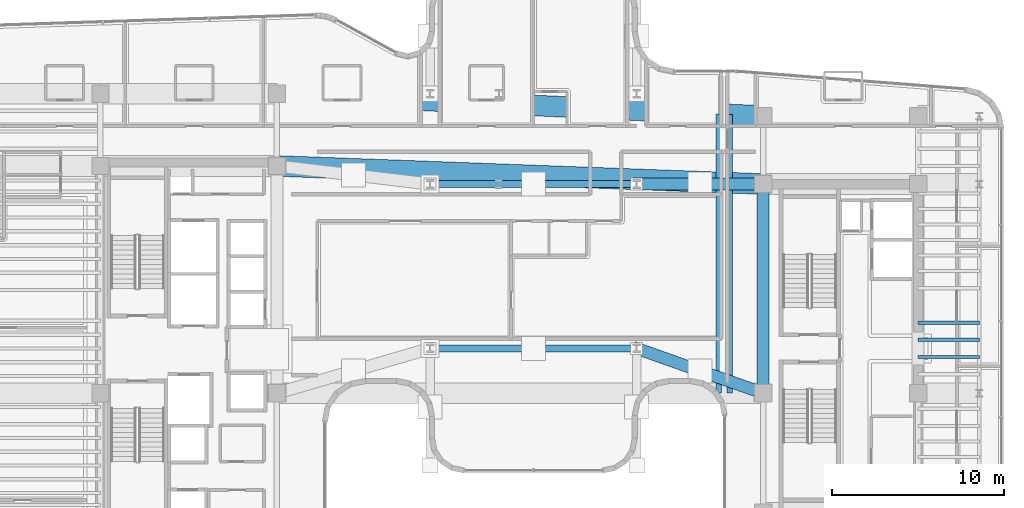
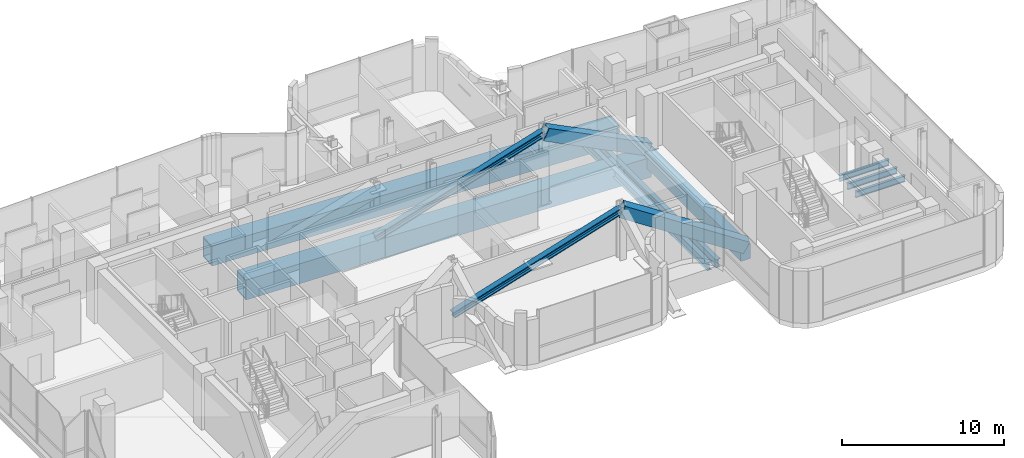
# One storey, part 13 of 37: 8 beams, 4 members.
"""IFC4 building model written with IfcOpenShell, lengths in metres."""

from ifc_helpers import new_model, si_unit, direction, frame, origin, origin_2d, place, context, subcontext, project, spatial, rectangle, hollow_rectangle, i_section, extrude, source, transform, mapped, material, material_profile, profile_set, type_object, element, save


model = new_model("IFC4")

# Units and contexts
model_context = context("Model", 3, precision=1e-05, world=origin(), true_north=direction((0.0, 1.0)))
body_context = subcontext(model_context, "Body", "Model", "MODEL_VIEW")
ifc_project = project(units=[si_unit("LENGTHUNIT", "METRE"), si_unit("AREAUNIT", "SQUARE_METRE"), si_unit("VOLUMEUNIT", "CUBIC_METRE"), si_unit("PLANEANGLEUNIT", "RADIAN"), si_unit("MASSUNIT", "GRAM", prefix="KILO")], contexts=[model_context])

# Site, building, storey
site_placement = place(None, origin())
site = spatial("IfcSite", under=ifc_project, at=site_placement, CompositionType="ELEMENT")
building_placement = place(site_placement, origin())
building = spatial("IfcBuilding", under=site, at=building_placement, Name="Valdorenza Pilgrim Sanctuary Tower", CompositionType="ELEMENT")
storey_placement = place(building_placement, frame((0.0, 0.0, 172.300048828125)))
storey = spatial("IfcBuildingStorey", under=building, at=storey_placement, Name="L44", CompositionType="ELEMENT", Elevation=172.300048828125)

# Beams
ifc_material_1 = material(Name="Concrete C50/60", Category="concrete")
ifc_material_profile_1 = material_profile(ifc_material_1, rectangle(XDim=0.699951171875, YDim=1.10009765625, at=origin_2d()), Name="RC 1100x700")
ifc_profile_set_1 = profile_set([ifc_material_profile_1], Name="Concrete C50/60")
beam_type_1 = type_object("IfcBeamType", Name="STR-BM-LNT-1100", PredefinedType="LINTEL", material=ifc_profile_set_1)
shared_shape_1 = source(origin(), body_context, "Body", "SweptSolid", [
    extrude(rectangle(XDim=0.699951171875, YDim=1.10009765625, at=origin_2d()), origin(), (0.0, 0.0, 1.0), 12.150146484375),
])
beam_1_placement = place(storey_placement, frame((15.85009765625, -2.60009765625, -0.590087890625), z_axis=(0.0, 1.0, 0.0), x_axis=(-1.0, 0.0, 0.0)))
element("IfcBeam", 1, at=beam_1_placement, inside=storey, type_object=beam_type_1, Name="L44 Core B West Coupling Lintel Girder", PredefinedType="LINTEL", context=body_context, shape_type="MappedRepresentation", body=[
    mapped(shared_shape_1, transform((0.0, 0.0, 0.0), x_axis=(1.0, 0.0, 0.0), y_axis=(0.0, 1.0, 0.0), z_axis=(0.0, 0.0, 1.0), scale=1.0)),
])
ifc_material_2 = material(Name="Steel ASTM A572 Grade 42", Category="steel")
ifc_material_profile_2 = material_profile(ifc_material_2, hollow_rectangle(XDim=1.199951171875, YDim=1.5, WallThickness=0.090087890625, at=origin_2d()), Name="BOX 1200x1500x90")
ifc_profile_set_2 = profile_set([ifc_material_profile_2], Name="Steel ASTM A572 Grade 42")
beam_type_2 = type_object("IfcBeamType", Name="STR-BM-TRF-1500", PredefinedType="BEAM", material=ifc_profile_set_2)
shared_shape_2 = source(origin(), body_context, "Body", "SweptSolid", [
    extrude(hollow_rectangle(XDim=1.199951171875, YDim=1.5, WallThickness=0.090087890625, at=origin_2d()), origin(), (0.0, 0.0, 1.0), 28.26953125),
])
beam_2_placement = place(storey_placement, frame((-12.39990234375, 10.60009765625, -1.150146484375), z_axis=(0.999309915364, -0.037144219666, 0.0), x_axis=(0.037144219666, 0.999309915364, 0.0)))
element("IfcBeam", 2, at=beam_2_placement, inside=storey, type_object=beam_type_2, Name="L44 Portal Bridge Transfer Girder PRY-G0-P9", PredefinedType="BEAM", context=body_context, shape_type="MappedRepresentation", body=[
    mapped(shared_shape_2, transform((0.0, 0.0, 0.0), x_axis=(1.0, 0.0, 0.0), y_axis=(0.0, 1.0, 0.0), z_axis=(0.0, 0.0, 1.0), scale=1.0)),
])
shared_shape_3 = source(origin(), body_context, "Body", "SweptSolid", [
    extrude(hollow_rectangle(XDim=1.199951171875, YDim=1.5, WallThickness=0.090087890625, at=origin_2d()), origin(), (0.0, 0.0, 1.0), 28.27978515625),
])
beam_3_placement = place(storey_placement, frame((-12.39990234375, 14.800048828125, -1.150146484375), z_axis=(0.998942785066, -0.045970775118, 0.0), x_axis=(0.045970775118, 0.998942785066, 0.0)))
element("IfcBeam", 3, at=beam_3_placement, inside=storey, type_object=beam_type_2, Name="L44 Portal Bridge Transfer Girder PRY-G0-P14", PredefinedType="BEAM", context=body_context, shape_type="MappedRepresentation", body=[
    mapped(shared_shape_3, transform((0.0, 0.0, 0.0), x_axis=(1.0, 0.0, 0.0), y_axis=(0.0, 1.0, 0.0), z_axis=(0.0, 0.0, 1.0), scale=1.0)),
])
ifc_material_3 = material(Name="Steel ASTM A992 Grade 50", Category="steel")
ifc_material_profile_3 = material_profile(ifc_material_3, i_section(OverallWidth=0.19091796875, OverallDepth=0.45703125, WebThickness=0.009033203125, FlangeThickness=0.014404296875, at=origin_2d()), Name="W18X50")
ifc_profile_set_3 = profile_set([ifc_material_profile_3], Name="Steel ASTM A992 Grade 50")
beam_type_3 = type_object("IfcBeamType", Name="STR-BM-JST-W18B", PredefinedType="JOIST", material=ifc_profile_set_3)
shared_shape_4 = source(origin(), body_context, "Body", "SweptSolid", [
    extrude(i_section(OverallWidth=0.19091796875, OverallDepth=0.45703125, WebThickness=0.009033203125, FlangeThickness=0.014404296875, at=origin_2d()), origin(), (0.0, 0.0, 1.0), 3.5498046875),
])
for number, where, z_axis, x_axis, name in (
    (4, (24.85009765625, -0.5, -0.628662109375), (1.0, 0.0, 0.0), (0.0, 1.0, 0.0), "L44 Composite Floor Joist JST-WB-9"),
    (5, (24.85009765625, 0.5, -0.628662109375), (1.0, 0.0, 0.0), (0.0, 1.0, 0.0), "L44 Composite Floor Joist JST-WB-10"),
    (6, (24.85009765625, 1.5, -0.628662109375), (1.0, 0.0, 0.0), (0.0, 1.0, 0.0), "L44 Composite Floor Joist JST-WB-11"),
):
    element("IfcBeam", number, at=place(storey_placement, frame(where, z_axis=z_axis, x_axis=x_axis)), inside=storey, type_object=beam_type_3, Name=name, PredefinedType="JOIST", context=body_context, shape_type="MappedRepresentation", body=[
        mapped(shared_shape_4, transform((0.0, 0.0, 0.0), x_axis=(1.0, 0.0, 0.0), y_axis=(0.0, 1.0, 0.0), z_axis=(0.0, 0.0, 1.0), scale=1.0)),
    ])
ifc_material_profile_4 = material_profile(ifc_material_3, i_section(OverallWidth=0.323974609375, OverallDepth=0.611083984375, WebThickness=0.0126953125, FlangeThickness=0.01904296875, at=origin_2d()), Name="W24X104")
ifc_profile_set_4 = profile_set([ifc_material_profile_4], Name="Steel ASTM A992 Grade 50")
beam_type_4 = type_object("IfcBeamType", Name="STR-BM-GRD-W24B", PredefinedType="BEAM", material=ifc_profile_set_4)
shared_shape_5 = source(origin(), body_context, "Body", "SweptSolid", [
    extrude(i_section(OverallWidth=0.323974609375, OverallDepth=0.611083984375, WebThickness=0.0126953125, FlangeThickness=0.01904296875, at=origin_2d()), origin(), (0.0, 0.0, 1.0), 16.22021484375),
])
beam_4_placement = place(storey_placement, frame((13.280029296875, -2.60009765625, -0.70556640625), z_axis=(0.0, 1.0, 0.0), x_axis=(-1.0, 0.0, 0.0)))
element("IfcBeam", 7, at=beam_4_placement, inside=storey, type_object=beam_type_4, Name="L44 Bridge Joint Edge Header PRY-JNT-W", PredefinedType="BEAM", context=body_context, shape_type="MappedRepresentation", body=[
    mapped(shared_shape_5, transform((0.0, 0.0, 0.0), x_axis=(1.0, 0.0, 0.0), y_axis=(0.0, 1.0, 0.0), z_axis=(0.0, 0.0, 1.0), scale=1.0)),
])
shared_shape_6 = source(origin(), body_context, "Body", "SweptSolid", [
    extrude(i_section(OverallWidth=0.323974609375, OverallDepth=0.611083984375, WebThickness=0.0126953125, FlangeThickness=0.01904296875, at=origin_2d()), origin(), (0.0, 0.0, 1.0), 16.190185546875),
])
beam_5_placement = place(storey_placement, frame((13.89990234375, -2.60009765625, -0.70556640625), z_axis=(0.0, 1.0, 0.0), x_axis=(-1.0, 0.0, 0.0)))
element("IfcBeam", 8, at=beam_5_placement, inside=storey, type_object=beam_type_4, Name="L44 Wing B Joint Edge Header PRY-JNT-E", PredefinedType="BEAM", context=body_context, shape_type="MappedRepresentation", body=[
    mapped(shared_shape_6, transform((0.0, 0.0, 0.0), x_axis=(1.0, 0.0, 0.0), y_axis=(0.0, 1.0, 0.0), z_axis=(0.0, 0.0, 1.0), scale=1.0)),
])

# Members
ifc_material_profile_5 = material_profile(ifc_material_3, i_section(OverallWidth=0.41796875, OverallDepth=0.455078125, WebThickness=0.0419921875, FlangeThickness=0.067626953125, at=origin_2d()), Name="W14X370")
ifc_profile_set_5 = profile_set([ifc_material_profile_5], Name="Steel ASTM A992 Grade 50")
member_type_1 = type_object("IfcMemberType", Name="STR-MB-OUT-W370", PredefinedType="BRACE", material=ifc_profile_set_5)
shared_shape_7 = source(origin(), body_context, "Body", "SweptSolid", [
    extrude(i_section(OverallWidth=0.41796875, OverallDepth=0.455078125, WebThickness=0.0419921875, FlangeThickness=0.067626953125, at=origin_2d()), origin(), (0.0, 0.0, 1.0), 12.557373046875),
])
for number, where, z_axis, x_axis, name in (
    (9, (-3.5, 9.550048828125, 0.0), (0.955607758352, 0.0, 0.294641837114), (0.0, 1.0, 0.0), "L44 Portal Bridge Truss Central Web 1"),
    (10, (-3.5, 0.0, 0.0), (0.955607758352, 0.0, 0.294641837114), (0.0, 1.0, 0.0), "L44 Portal Bridge Truss Central Web 2"),
):
    element("IfcMember", number, at=place(storey_placement, frame(where, z_axis=z_axis, x_axis=x_axis)), inside=storey, type_object=member_type_1, Name=name, PredefinedType="BRACE", context=body_context, shape_type="MappedRepresentation", body=[
        mapped(shared_shape_7, transform((0.0, 0.0, 0.0), x_axis=(1.0, 0.0, 0.0), y_axis=(0.0, 1.0, 0.0), z_axis=(0.0, 0.0, 1.0), scale=1.0)),
    ])
ifc_material_profile_6 = material_profile(ifc_material_2, hollow_rectangle(XDim=0.699951171875, YDim=0.89990234375, WallThickness=0.070068359375, at=origin_2d()), Name="BOX 900x700x70")
ifc_profile_set_6 = profile_set([ifc_material_profile_6], Name="Steel ASTM A572 Grade 42")
member_type_2 = type_object("IfcMemberType", Name="STR-MB-OUT-BOX900", PredefinedType="BRACE", material=ifc_profile_set_6)
shared_shape_8 = source(origin(), body_context, "Body", "SweptSolid", [
    extrude(hollow_rectangle(XDim=0.699951171875, YDim=0.89990234375, WallThickness=0.070068359375, at=origin_2d()), origin(), (0.0, 0.0, 1.0), 8.228759765625),
])
member_1_placement = place(storey_placement, frame((15.85009765625, 9.550048828125, 0.0), z_axis=(-0.89321342132, 0.0, 0.449632943603), x_axis=(0.0, -1.0, 0.0)))
element("IfcMember", 11, at=member_1_placement, inside=storey, type_object=member_type_2, Name="L44 Portal Bridge Truss Diagonal E1", PredefinedType="BRACE", context=body_context, shape_type="MappedRepresentation", body=[
    mapped(shared_shape_8, transform((0.0, 0.0, 0.0), x_axis=(1.0, 0.0, 0.0), y_axis=(0.0, 1.0, 0.0), z_axis=(0.0, 0.0, 1.0), scale=1.0)),
])
shared_shape_9 = source(origin(), body_context, "Body", "SweptSolid", [
    extrude(hollow_rectangle(XDim=0.699951171875, YDim=0.89990234375, WallThickness=0.070068359375, at=origin_2d()), origin(), (0.0, 0.0, 1.0), 8.6298828125),
])
member_2_placement = place(storey_placement, frame((15.85009765625, -2.60009765625, 0.0), z_axis=(-0.851707614285, 0.301291639279, 0.428739417209), x_axis=(-0.333498156641, -0.942750751534, 0.0)))
element("IfcMember", 12, at=member_2_placement, inside=storey, type_object=member_type_2, Name="L44 Portal Bridge Truss Diagonal E2", PredefinedType="BRACE", context=body_context, shape_type="MappedRepresentation", body=[
    mapped(shared_shape_9, transform((0.0, 0.0, 0.0), x_axis=(1.0, 0.0, 0.0), y_axis=(0.0, 1.0, 0.0), z_axis=(0.0, 0.0, 1.0), scale=1.0)),
])

save(model, "model.ifc")
